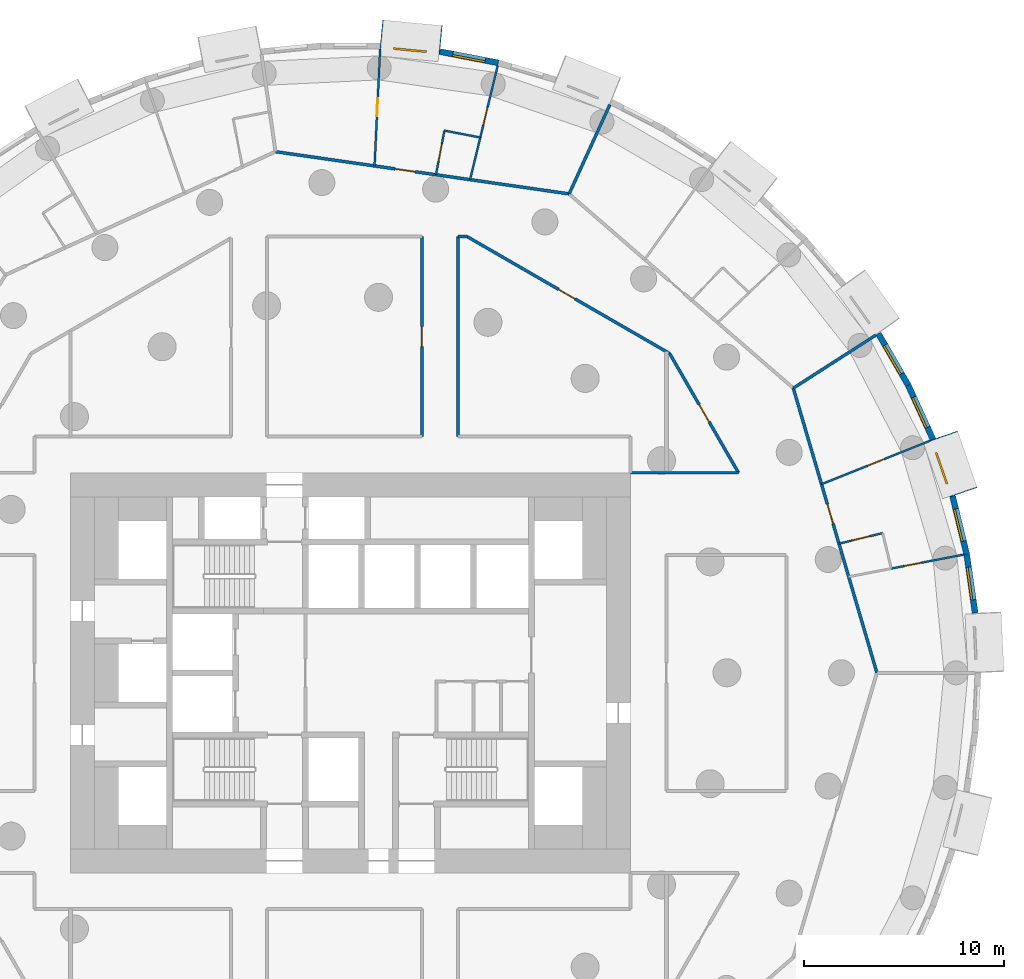
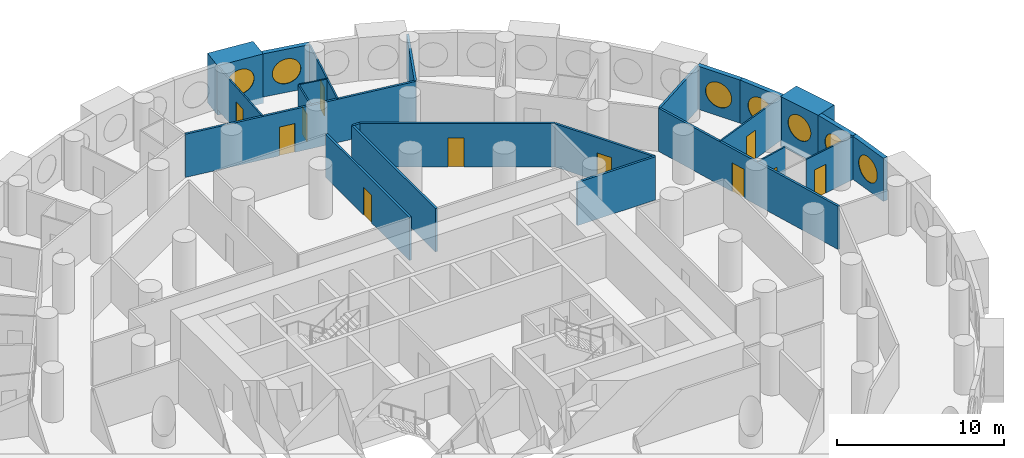
# One storey, part 9 of 12: 25 walls, 11 doors, 7 windows, 18 openings.
"""IFC4 building model written with IfcOpenShell, lengths in metres."""

from ifc_helpers import new_model, si_unit, direction, frame, frame_2d, origin, origin_2d, place, context, subcontext, project, spatial, rectangle, circle, extrude, material, layer, layer_set, type_object, element, fill, save


model = new_model("IFC4")

# Units and contexts
model_context = context("Model", 3, precision=1e-05, world=origin(), true_north=direction((0.0, 1.0)))
body_context = subcontext(model_context, "Body", "Model", "MODEL_VIEW")
ifc_project = project(units=[si_unit("LENGTHUNIT", "METRE"), si_unit("AREAUNIT", "SQUARE_METRE"), si_unit("VOLUMEUNIT", "CUBIC_METRE"), si_unit("PLANEANGLEUNIT", "RADIAN"), si_unit("MASSUNIT", "GRAM", prefix="KILO")], contexts=[model_context])

# Site, building, storey
site_placement = place(None, origin())
site = spatial("IfcSite", under=ifc_project, at=site_placement, CompositionType="ELEMENT")
building_placement = place(site_placement, origin())
building = spatial("IfcBuilding", under=site, at=building_placement, Name="Tracery Tower", CompositionType="ELEMENT")
storey_placement = place(building_placement, frame((0.0, 0.0, 82.199951171875)))
storey = spatial("IfcBuildingStorey", under=building, at=storey_placement, Name="L20", CompositionType="ELEMENT", Elevation=82.199951171875)

# Wall, opening, window
ifc_material_1 = material(Name="Precast concrete C50/60", Category="concrete")
ifc_layer_1 = layer(ifc_material_1, 1.449951171875)
ifc_layer_set_1 = layer_set([ifc_layer_1], Name="Deep-set bay unit 3000 x 3600, slab edge 450")
wall_type_1 = type_object("IfcWallType", Name="Deep-set bay unit 3000 x 3600, slab edge 450", PredefinedType="ELEMENTEDWALL", material=ifc_layer_set_1)
wall_1_placement = place(storey_placement, frame((30.649169921875, 9.0205078125, -0.449951171875), z_axis=(0.0, 0.0, 1.0), x_axis=(-0.327071431777, 0.944999618262, 0.0)))
wall_1 = element("IfcWall", 1, at=wall_1_placement, inside=storey, type_object=wall_type_1, Name="Deep-set bay unit 4 at L20", PredefinedType="ELEMENTEDWALL", context=body_context, shape_type="SweptSolid", body=[
    extrude(rectangle(XDim=3.0, YDim=1.449951171875, at=frame_2d((1.5, 0.0))), origin(), (0.0, 0.0, 1.0), 3.60009765625),
])
opening_1_placement = place(wall_1_placement, frame((1.5, 0.0, 2.0)))
opening_1 = element("IfcOpeningElement", 2, at=opening_1_placement, cuts=wall_1, Name="Opening WN1", PredefinedType="OPENING", context=body_context, shape_type="SweptSolid", body=[
    extrude(circle(Radius=0.9000244140625, at=origin_2d()), frame((0.0, 0.73486328125, 0.0), z_axis=(0.0, -1.0, 0.0), x_axis=(1.0, 0.0, 0.0)), (0.0, 0.0, 1.0), 1.469970703125),
])
ifc_material_2 = material(Name="Aluminium frame with tinted double glazing", Category="aluminium")
window_type = type_object("IfcWindowType", Name="Round window 1800", PartitioningType="SINGLE_PANEL", PredefinedType="WINDOW", material=ifc_material_2)
window_1_placement = place(opening_1_placement, origin())
window_1 = element("IfcWindow", 3, at=window_1_placement, inside=storey, type_object=window_type, Name="Round window 4 at L20", OverallHeight=1.800048828125, OverallWidth=1.800048828125, PartitioningType="SINGLE_PANEL", PredefinedType="WINDOW", context=body_context, shape_type="SweptSolid", body=[
    extrude(circle(Radius=0.9000244140625, at=origin_2d()), frame((0.0, 0.69482421875, 0.0), z_axis=(0.0, -1.0, 0.0), x_axis=(1.0, 0.0, 0.0)), (0.0, 0.0, 1.0), 0.10009765625),
])
fill(opening_1, window_1)

wall_2_placement = place(storey_placement, frame((4.52685546875, 31.626708984375, -0.449951171875), z_axis=(0.0, 0.0, 1.0), x_axis=(-0.995472768558, 0.09504718333, 0.0)))
wall_2 = element("IfcWall", 4, at=wall_2_placement, inside=storey, type_object=wall_type_1, Name="Deep-set bay unit 16 at L20", PredefinedType="ELEMENTEDWALL", context=body_context, shape_type="SweptSolid", body=[
    extrude(rectangle(XDim=3.000244140625, YDim=1.449951171875, at=frame_2d((1.5, 0.0))), origin(), (0.0, 0.0, 1.0), 3.60009765625),
])
opening_2_placement = place(wall_2_placement, frame((1.5, 0.0, 2.0)))
opening_2 = element("IfcOpeningElement", 5, at=opening_2_placement, cuts=wall_2, Name="Opening WN1", PredefinedType="OPENING", context=body_context, shape_type="SweptSolid", body=[
    extrude(circle(Radius=0.9000244140625, at=origin_2d()), frame((0.0, 0.73486328125, 0.0), z_axis=(0.0, -1.0, 0.0), x_axis=(1.0, 0.0, 0.0)), (0.0, 0.0, 1.0), 1.469970703125),
])
window_2_placement = place(opening_2_placement, origin())
window_2 = element("IfcWindow", 6, at=window_2_placement, inside=storey, type_object=window_type, Name="Round window 16 at L20", OverallHeight=1.800048828125, OverallWidth=1.800048828125, PartitioningType="SINGLE_PANEL", PredefinedType="WINDOW", context=body_context, shape_type="SweptSolid", body=[
    extrude(circle(Radius=0.9000244140625, at=origin_2d()), frame((0.0, 0.69482421875, 0.0), z_axis=(0.0, -1.0, 0.0), x_axis=(1.0, 0.0, 0.0)), (0.0, 0.0, 1.0), 0.10009765625),
])
fill(opening_2, window_2)

ifc_material_3 = material(Name="Precast concrete C50/60", Category="concrete")
ifc_layer_2 = layer(ifc_material_3, 0.300048828125)
ifc_layer_set_2 = layer_set([ifc_layer_2], Name="Facade panel 3000 x 3150")
wall_type_2 = type_object("IfcWallType", Name="Facade panel 3000 x 3150", PredefinedType="SOLIDWALL", material=ifc_layer_set_2)
wall_3_placement = place(storey_placement, frame((31.2314453125, 2.98828125, 0.0), z_axis=(0.0, 0.0, 1.0), x_axis=(-0.142315996627, 0.989821275334, 0.0)))
wall_3 = element("IfcWall", 7, at=wall_3_placement, inside=storey, type_object=wall_type_2, Name="Facade panel 2 at L20", PredefinedType="SOLIDWALL", context=body_context, shape_type="SweptSolid", body=[
    extrude(rectangle(XDim=2.979736328125, YDim=0.300048828125, at=frame_2d((1.48974609375, 0.0))), origin(), (0.0, 0.0, 1.0), 3.150146484375),
])
opening_3_placement = place(wall_3_placement, frame((1.48974609375, 0.0, 1.5498046875)))
opening_3 = element("IfcOpeningElement", 8, at=opening_3_placement, cuts=wall_3, Name="Opening WN1", PredefinedType="OPENING", context=body_context, shape_type="SweptSolid", body=[
    extrude(circle(Radius=0.9000244140625, at=origin_2d()), frame((0.0, 0.159912109375, 0.0), z_axis=(0.0, -1.0, 0.0), x_axis=(1.0, 0.0, 0.0)), (0.0, 0.0, 1.0), 0.320068359375),
])
window_3_placement = place(opening_3_placement, origin())
window_3 = element("IfcWindow", 9, at=window_3_placement, inside=storey, type_object=window_type, Name="Round window 2 at L20", OverallHeight=1.800048828125, OverallWidth=1.800048828125, PartitioningType="SINGLE_PANEL", PredefinedType="WINDOW", context=body_context, shape_type="SweptSolid", body=[
    extrude(circle(Radius=0.9000244140625, at=origin_2d()), frame((0.0, 0.1201171875, 0.0), z_axis=(0.0, -1.0, 0.0), x_axis=(1.0, 0.0, 0.0)), (0.0, 0.0, 1.0), 0.10009765625),
])
fill(opening_3, window_3)

wall_4_placement = place(storey_placement, frame((30.807373046875, 5.937744140625, 0.0), z_axis=(0.0, 0.0, 1.0), x_axis=(-0.235743081534, 0.971815414319, 0.0)))
wall_4 = element("IfcWall", 10, at=wall_4_placement, inside=storey, type_object=wall_type_2, Name="Facade panel 3 at L20", PredefinedType="SOLIDWALL", context=body_context, shape_type="SweptSolid", body=[
    extrude(rectangle(XDim=2.9794921875, YDim=0.300048828125, at=frame_2d((1.48974609375, 0.0))), origin(), (0.0, 0.0, 1.0), 3.150146484375),
])
opening_4_placement = place(wall_4_placement, frame((1.48974609375, 0.0, 1.5498046875)))
opening_4 = element("IfcOpeningElement", 11, at=opening_4_placement, cuts=wall_4, Name="Opening WN1", PredefinedType="OPENING", context=body_context, shape_type="SweptSolid", body=[
    extrude(circle(Radius=0.9000244140625, at=origin_2d()), frame((0.0, 0.159912109375, 0.0), z_axis=(0.0, -1.0, 0.0), x_axis=(1.0, 0.0, 0.0)), (0.0, 0.0, 1.0), 0.320068359375),
])
window_4_placement = place(opening_4_placement, origin())
window_4 = element("IfcWindow", 12, at=window_4_placement, inside=storey, type_object=window_type, Name="Round window 3 at L20", OverallHeight=1.800048828125, OverallWidth=1.800048828125, PartitioningType="SINGLE_PANEL", PredefinedType="WINDOW", context=body_context, shape_type="SweptSolid", body=[
    extrude(circle(Radius=0.9000244140625, at=origin_2d()), frame((0.0, 0.1201171875, 0.0), z_axis=(0.0, -1.0, 0.0), x_axis=(1.0, 0.0, 0.0)), (0.0, 0.0, 1.0), 0.10009765625),
])
fill(opening_4, window_4)

wall_5_placement = place(storey_placement, frame((29.12451171875, 11.666259765625, 0.0), z_axis=(0.0, 0.0, 1.0), x_axis=(-0.415407317162, 0.909635509888, 0.0)))
wall_5 = element("IfcWall", 13, at=wall_5_placement, inside=storey, type_object=wall_type_2, Name="Facade panel 5 at L20", PredefinedType="SOLIDWALL", context=body_context, shape_type="SweptSolid", body=[
    extrude(rectangle(XDim=2.979736328125, YDim=0.300048828125, at=frame_2d((1.48974609375, 0.0))), origin(), (0.0, 0.0, 1.0), 3.150146484375),
])
opening_5_placement = place(wall_5_placement, frame((1.48974609375, 0.0, 1.5498046875)))
opening_5 = element("IfcOpeningElement", 14, at=opening_5_placement, cuts=wall_5, Name="Opening WN1", PredefinedType="OPENING", context=body_context, shape_type="SweptSolid", body=[
    extrude(circle(Radius=0.9000244140625, at=origin_2d()), frame((0.0, 0.159912109375, 0.0), z_axis=(0.0, -1.0, 0.0), x_axis=(1.0, 0.0, 0.0)), (0.0, 0.0, 1.0), 0.320068359375),
])
window_5_placement = place(opening_5_placement, origin())
window_5 = element("IfcWindow", 15, at=window_5_placement, inside=storey, type_object=window_type, Name="Round window 5 at L20", OverallHeight=1.800048828125, OverallWidth=1.800048828125, PartitioningType="SINGLE_PANEL", PredefinedType="WINDOW", context=body_context, shape_type="SweptSolid", body=[
    extrude(circle(Radius=0.9000244140625, at=origin_2d()), frame((0.0, 0.1201171875, 0.0), z_axis=(0.0, -1.0, 0.0), x_axis=(1.0, 0.0, 0.0)), (0.0, 0.0, 1.0), 0.10009765625),
])
fill(opening_5, window_5)

wall_6_placement = place(storey_placement, frame((27.88671875, 14.376708984375, 0.0), z_axis=(0.0, 0.0, 1.0), x_axis=(-0.499999078476, 0.866025935826, 0.0)))
wall_6 = element("IfcWall", 16, at=wall_6_placement, inside=storey, type_object=wall_type_2, Name="Facade panel 6 at L20", PredefinedType="SOLIDWALL", context=body_context, shape_type="SweptSolid", body=[
    extrude(rectangle(XDim=2.9794921875, YDim=0.300048828125, at=frame_2d((1.48974609375, 0.0))), origin(), (0.0, 0.0, 1.0), 3.150146484375),
])
opening_6_placement = place(wall_6_placement, frame((1.48974609375, 0.0, 1.5498046875)))
opening_6 = element("IfcOpeningElement", 17, at=opening_6_placement, cuts=wall_6, Name="Opening WN1", PredefinedType="OPENING", context=body_context, shape_type="SweptSolid", body=[
    extrude(circle(Radius=0.9000244140625, at=origin_2d()), frame((0.0, 0.159912109375, 0.0), z_axis=(0.0, -1.0, 0.0), x_axis=(1.0, 0.0, 0.0)), (0.0, 0.0, 1.0), 0.320068359375),
])
window_6_placement = place(opening_6_placement, origin())
window_6 = element("IfcWindow", 18, at=window_6_placement, inside=storey, type_object=window_type, Name="Round window 6 at L20", OverallHeight=1.800048828125, OverallWidth=1.800048828125, PartitioningType="SINGLE_PANEL", PredefinedType="WINDOW", context=body_context, shape_type="SweptSolid", body=[
    extrude(circle(Radius=0.9000244140625, at=origin_2d()), frame((0.0, 0.1201171875, 0.0), z_axis=(0.0, -1.0, 0.0), x_axis=(1.0, 0.0, 0.0)), (0.0, 0.0, 1.0), 0.10009765625),
])
fill(opening_6, window_6)

wall_7_placement = place(storey_placement, frame((7.396728515625, 30.489990234375, 0.0), z_axis=(0.0, 0.0, 1.0), x_axis=(-0.981924535406, 0.189272836848, 0.0)))
wall_7 = element("IfcWall", 19, at=wall_7_placement, inside=storey, type_object=wall_type_2, Name="Facade panel 15 at L20", PredefinedType="SOLIDWALL", context=body_context, shape_type="SweptSolid", body=[
    extrude(rectangle(XDim=2.979736328125, YDim=0.300048828125, at=frame_2d((1.48974609375, 0.0))), origin(), (0.0, 0.0, 1.0), 3.150146484375),
])
opening_7_placement = place(wall_7_placement, frame((1.48974609375, 0.0, 1.5498046875)))
opening_7 = element("IfcOpeningElement", 20, at=opening_7_placement, cuts=wall_7, Name="Opening WN1", PredefinedType="OPENING", context=body_context, shape_type="SweptSolid", body=[
    extrude(circle(Radius=0.9000244140625, at=origin_2d()), frame((0.0, 0.159912109375, 0.0), z_axis=(0.0, -1.0, 0.0), x_axis=(1.0, 0.0, 0.0)), (0.0, 0.0, 1.0), 0.320068359375),
])
window_7_placement = place(opening_7_placement, origin())
window_7 = element("IfcWindow", 21, at=window_7_placement, inside=storey, type_object=window_type, Name="Round window 15 at L20", OverallHeight=1.800048828125, OverallWidth=1.800048828125, PartitioningType="SINGLE_PANEL", PredefinedType="WINDOW", context=body_context, shape_type="SweptSolid", body=[
    extrude(circle(Radius=0.9000244140625, at=origin_2d()), frame((0.0, 0.1201171875, 0.0), z_axis=(0.0, -1.0, 0.0), x_axis=(1.0, 0.0, 0.0)), (0.0, 0.0, 1.0), 0.10009765625),
])
fill(opening_7, window_7)

# Wall, opening, door
ifc_material_4 = material(Name="Plasterboard on steel studs", Category="steel")
ifc_layer_3 = layer(ifc_material_4, 0.10009765625)
ifc_layer_set_3 = layer_set([ifc_layer_3], Name="Partition 100 stud")
wall_type_3 = type_object("IfcWallType", Name="Partition 100 stud", PredefinedType="PARTITIONING", material=ifc_layer_set_3)
wall_8_placement = place(storey_placement, frame((27.0380859375, 5.2109375, 0.0), z_axis=(0.0, 0.0, 1.0), x_axis=(0.981931303506, 0.189237721384, 0.0)))
wall_8 = element("IfcWall", 22, at=wall_8_placement, inside=storey, type_object=wall_type_3, Name="Stud partition RA6-058", PredefinedType="PARTITIONING", context=body_context, shape_type="SweptSolid", body=[
    extrude(rectangle(XDim=3.6884765625, YDim=0.10009765625, at=frame_2d((1.84423828125, 0.0))), origin(), (0.0, 0.0, 1.0), 3.150146484375),
])
opening_8_placement = place(wall_8_placement, frame((0.64453125, 0.0, 0.0)))
opening_8 = element("IfcOpeningElement", 23, at=opening_8_placement, cuts=wall_8, Name="Opening RA6-13", PredefinedType="OPENING", context=body_context, shape_type="SweptSolid", body=[
    extrude(rectangle(XDim=0.89990234375, YDim=2.10009765625, at=frame_2d((0.449951171875, 1.050048828125))), frame((0.0, 0.050048828125, 0.0), z_axis=(0.0, -1.0, 0.0), x_axis=(1.0, 0.0, 0.0)), (0.0, 0.0, 1.0), 0.10009765625),
])
ifc_material_5 = material(Name="Timber door leaf", Category="wood")
door_type_1 = type_object("IfcDoorType", Name="Door bedroom 900", OperationType="NOTDEFINED", PredefinedType="DOOR", material=ifc_material_5)
door_1_placement = place(opening_8_placement, origin())
door_1 = element("IfcDoor", 24, at=door_1_placement, inside=storey, type_object=door_type_1, Name="Bedroom door RA6-13", OperationType="SINGLE_SWING_RIGHT", OverallHeight=2.10009765625, OverallWidth=0.89990234375, PredefinedType="DOOR", context=body_context, shape_type="SweptSolid", body=[
    extrude(rectangle(XDim=0.89990234375, YDim=2.10009765625, at=frame_2d((0.449951171875, 1.050048828125))), frame((0.0, 0.02490234375, 0.0), z_axis=(0.0, -1.0, 0.0), x_axis=(1.0, 0.0, 0.0)), (0.0, 0.0, 1.0), 0.050048828125),
])
fill(opening_8, door_1)

wall_9_placement = place(storey_placement, frame((23.550048828125, 9.427978515625, 0.0), z_axis=(0.0, 0.0, 1.0), x_axis=(0.9283702981, 0.371656547911, 0.0)))
wall_9 = element("IfcWall", 25, at=wall_9_placement, inside=storey, type_object=wall_type_3, Name="Stud partition RA6-059", PredefinedType="PARTITIONING", context=body_context, shape_type="SweptSolid", body=[
    extrude(rectangle(XDim=5.857666015625, YDim=0.10009765625, at=frame_2d((2.9287109375, 0.0))), origin(), (0.0, 0.0, 1.0), 3.150146484375),
])
opening_9_placement = place(wall_9_placement, frame((2.47900390625, 0.0, 0.0)))
opening_9 = element("IfcOpeningElement", 26, at=opening_9_placement, cuts=wall_9, Name="Opening RA6-14", PredefinedType="OPENING", context=body_context, shape_type="SweptSolid", body=[
    extrude(rectangle(XDim=0.89990234375, YDim=2.10009765625, at=frame_2d((0.449951171875, 1.050048828125))), frame((0.0, 0.050048828125, 0.0), z_axis=(0.0, -1.0, 0.0), x_axis=(1.0, 0.0, 0.0)), (0.0, 0.0, 1.0), 0.10009765625),
])
door_2_placement = place(opening_9_placement, origin())
door_2 = element("IfcDoor", 27, at=door_2_placement, inside=storey, type_object=door_type_1, Name="Bedroom door RA6-14", OperationType="SINGLE_SWING_RIGHT", OverallHeight=2.10009765625, OverallWidth=0.89990234375, PredefinedType="DOOR", context=body_context, shape_type="SweptSolid", body=[
    extrude(rectangle(XDim=0.89990234375, YDim=2.10009765625, at=frame_2d((0.449951171875, 1.050048828125))), frame((0.0, 0.02490234375, 0.0), z_axis=(0.0, -1.0, 0.0), x_axis=(1.0, 0.0, 0.0)), (0.0, 0.0, 1.0), 0.050048828125),
])
fill(opening_9, door_2)

wall_10_placement = place(storey_placement, frame((6.491943359375, 26.759033203125, 0.0), z_axis=(0.0, 0.0, 1.0), x_axis=(0.235615179614, 0.971846431868, 0.0)))
wall_10 = element("IfcWall", 28, at=wall_10_placement, inside=storey, type_object=wall_type_3, Name="Stud partition RA6-071", PredefinedType="PARTITIONING", context=body_context, shape_type="SweptSolid", body=[
    extrude(rectangle(XDim=3.688720703125, YDim=0.10009765625, at=frame_2d((1.84423828125, 0.0))), origin(), (0.0, 0.0, 1.0), 3.150146484375),
])
opening_10_placement = place(wall_10_placement, frame((0.644775390625, 0.0, 0.0)))
opening_10 = element("IfcOpeningElement", 29, at=opening_10_placement, cuts=wall_10, Name="Opening RA6-21", PredefinedType="OPENING", context=body_context, shape_type="SweptSolid", body=[
    extrude(rectangle(XDim=0.89990234375, YDim=2.10009765625, at=frame_2d((0.449951171875, 1.050048828125))), frame((0.0, 0.050048828125, 0.0), z_axis=(0.0, -1.0, 0.0), x_axis=(1.0, 0.0, 0.0)), (0.0, 0.0, 1.0), 0.10009765625),
])
door_3_placement = place(opening_10_placement, origin())
door_3 = element("IfcDoor", 30, at=door_3_placement, inside=storey, type_object=door_type_1, Name="Bedroom door RA6-21", OperationType="SINGLE_SWING_RIGHT", OverallHeight=2.10009765625, OverallWidth=0.89990234375, PredefinedType="DOOR", context=body_context, shape_type="SweptSolid", body=[
    extrude(rectangle(XDim=0.89990234375, YDim=2.10009765625, at=frame_2d((0.449951171875, 1.050048828125))), frame((0.0, 0.02490234375, 0.0), z_axis=(0.0, -1.0, 0.0), x_axis=(1.0, 0.0, 0.0)), (0.0, 0.0, 1.0), 0.050048828125),
])
fill(opening_10, door_3)

wall_11_placement = place(storey_placement, frame((1.20703125, 25.339111328125, 0.0), z_axis=(0.0, 0.0, 1.0), x_axis=(0.047648334785, 0.998864173045, 0.0)))
wall_11 = element("IfcWall", 31, at=wall_11_placement, inside=storey, type_object=wall_type_3, Name="Stud partition RA6-072", PredefinedType="PARTITIONING", context=body_context, shape_type="SweptSolid", body=[
    extrude(rectangle(XDim=5.8564453125, YDim=0.10009765625, at=frame_2d((2.92822265625, 0.0))), origin(), (0.0, 0.0, 1.0), 3.150146484375),
])
opening_11_placement = place(wall_11_placement, frame((2.47802734375, 0.0, 0.0)))
opening_11 = element("IfcOpeningElement", 32, at=opening_11_placement, cuts=wall_11, Name="Opening RA6-22", PredefinedType="OPENING", context=body_context, shape_type="SweptSolid", body=[
    extrude(rectangle(XDim=0.89990234375, YDim=2.10009765625, at=frame_2d((0.449951171875, 1.050048828125))), frame((0.0, 0.050048828125, 0.0), z_axis=(0.0, -1.0, 0.0), x_axis=(1.0, 0.0, 0.0)), (0.0, 0.0, 1.0), 0.10009765625),
])
door_4_placement = place(opening_11_placement, origin())
door_4 = element("IfcDoor", 33, at=door_4_placement, inside=storey, type_object=door_type_1, Name="Bedroom door RA6-22", OperationType="SINGLE_SWING_LEFT", OverallHeight=2.10009765625, OverallWidth=0.89990234375, PredefinedType="DOOR", context=body_context, shape_type="SweptSolid", body=[
    extrude(rectangle(XDim=0.89990234375, YDim=2.10009765625, at=frame_2d((0.449951171875, 1.050048828125))), frame((0.0, 0.02490234375, 0.0), z_axis=(0.0, -1.0, 0.0), x_axis=(1.0, 0.0, 0.0)), (0.0, 0.0, 1.0), 0.050048828125),
])
fill(opening_11, door_4)

ifc_material_6 = material(Name="Plasterboard on steel studs", Category="steel")
ifc_layer_4 = layer(ifc_material_6, 0.10009765625)
ifc_layer_set_4 = layer_set([ifc_layer_4], Name="Partition 100 wet wall")
wall_type_4 = type_object("IfcWallType", Name="Partition 100 wet wall", PredefinedType="PARTITIONING", material=ifc_layer_set_4)
wall_12_placement = place(storey_placement, frame((24.424072265625, 6.4541015625, 0.0), z_axis=(0.0, 0.0, 1.0), x_axis=(0.971812402676, 0.235755496233, 0.0)))
wall_12 = element("IfcWall", 34, at=wall_12_placement, inside=storey, type_object=wall_type_4, Name="Wet wall RA6-061", PredefinedType="PARTITIONING", context=body_context, shape_type="SweptSolid", body=[
    extrude(rectangle(XDim=2.2470703125, YDim=0.10009765625, at=frame_2d((1.12353515625, 0.0))), origin(), (0.0, 0.0, 1.0), 3.150146484375),
])
opening_12_placement = place(wall_12_placement, frame((0.67333984375, 0.0, 0.0)))
opening_12 = element("IfcOpeningElement", 35, at=opening_12_placement, cuts=wall_12, Name="Opening RA6-15", PredefinedType="OPENING", context=body_context, shape_type="SweptSolid", body=[
    extrude(rectangle(XDim=0.89990234375, YDim=2.0, at=frame_2d((0.449951171875, 1.0))), frame((0.0, 0.050048828125, 0.0), z_axis=(0.0, -1.0, 0.0), x_axis=(1.0, 0.0, 0.0)), (0.0, 0.0, 1.0), 0.10009765625),
])
ifc_material_7 = material(Name="Timber door leaf", Category="wood")
door_type_2 = type_object("IfcDoorType", Name="Door shower room 900", OperationType="NOTDEFINED", PredefinedType="DOOR", material=ifc_material_7)
door_5_placement = place(opening_12_placement, origin())
door_5 = element("IfcDoor", 36, at=door_5_placement, inside=storey, type_object=door_type_2, Name="Shower room door RA6-15", OperationType="SINGLE_SWING_RIGHT", OverallHeight=2.0, OverallWidth=0.89990234375, PredefinedType="DOOR", context=body_context, shape_type="SweptSolid", body=[
    extrude(rectangle(XDim=0.89990234375, YDim=2.0, at=frame_2d((0.449951171875, 1.0))), frame((0.0, 0.02490234375, 0.0), z_axis=(0.0, -1.0, 0.0), x_axis=(1.0, 0.0, 0.0)), (0.0, 0.0, 1.0), 0.050048828125),
])
fill(opening_12, door_5)

# Wall
wall_13_placement = place(storey_placement, frame((4.699951171875, 27.10498046875, 0.0), z_axis=(0.0, 0.0, 1.0), x_axis=(0.981870706953, -0.189551878985, 0.0)))
element("IfcWall", 37, at=wall_13_placement, inside=storey, type_object=wall_type_4, Name="Wet wall RA6-073", PredefinedType="PARTITIONING", context=body_context, shape_type="SweptSolid", body=[
    extrude(rectangle(XDim=1.8251953125, YDim=0.10009765625, at=frame_2d((0.91259765625, 0.0))), origin(), (0.0, 0.0, 1.0), 3.150146484375),
])

# Wall, opening, door
wall_14_placement = place(storey_placement, frame((4.27490234375, 24.89794921875, 0.0), z_axis=(0.0, 0.0, 1.0), x_axis=(0.189113289302, 0.98195527587, 0.0)))
wall_14 = element("IfcWall", 38, at=wall_14_placement, inside=storey, type_object=wall_type_4, Name="Wet wall RA6-074", PredefinedType="PARTITIONING", context=body_context, shape_type="SweptSolid", body=[
    extrude(rectangle(XDim=2.24755859375, YDim=0.10009765625, at=frame_2d((1.123779296875, 0.0))), origin(), (0.0, 0.0, 1.0), 3.150146484375),
])
opening_13_placement = place(wall_14_placement, frame((0.673583984375, 0.0, 0.0)))
opening_13 = element("IfcOpeningElement", 39, at=opening_13_placement, cuts=wall_14, Name="Opening RA6-23", PredefinedType="OPENING", context=body_context, shape_type="SweptSolid", body=[
    extrude(rectangle(XDim=0.89990234375, YDim=2.0, at=frame_2d((0.449951171875, 1.0))), frame((0.0, 0.050048828125, 0.0), z_axis=(0.0, -1.0, 0.0), x_axis=(1.0, 0.0, 0.0)), (0.0, 0.0, 1.0), 0.10009765625),
])
door_6_placement = place(opening_13_placement, origin())
door_6 = element("IfcDoor", 40, at=door_6_placement, inside=storey, type_object=door_type_2, Name="Shower room door RA6-23", OperationType="SINGLE_SWING_RIGHT", OverallHeight=2.0, OverallWidth=0.89990234375, PredefinedType="DOOR", context=body_context, shape_type="SweptSolid", body=[
    extrude(rectangle(XDim=0.89990234375, YDim=2.0, at=frame_2d((0.449951171875, 1.0))), frame((0.0, 0.02490234375, 0.0), z_axis=(0.0, -1.0, 0.0), x_axis=(1.0, 0.0, 0.0)), (0.0, 0.0, 1.0), 0.050048828125),
])
fill(opening_13, door_6)

# Walls
wall_15_placement = place(storey_placement, frame((5.98095703125, 24.652099609375, 0.0), z_axis=(0.0, 0.0, 1.0), x_axis=(0.235706186713, 0.971824363527, 0.0)))
element("IfcWall", 41, at=wall_15_placement, inside=storey, type_object=wall_type_4, Name="Wet wall RA6-075", PredefinedType="PARTITIONING", context=body_context, shape_type="SweptSolid", body=[
    extrude(rectangle(XDim=2.172119140625, YDim=0.10009765625, at=frame_2d((1.0859375, 0.0))), origin(), (0.0, 0.0, 1.0), 3.150146484375),
])
ifc_material_8 = material(Name="Plasterboard on steel studs", Category="steel")
ifc_layer_5 = layer(ifc_material_8, 0.14990234375)
ifc_layer_set_5 = layer_set([ifc_layer_5], Name="Partition 150 acoustic unit wall")
wall_type_5 = type_object("IfcWallType", Name="Partition 150 acoustic unit wall", PredefinedType="PARTITIONING", material=ifc_layer_set_5)
wall_16_placement = place(storey_placement, frame((22.14111328125, 14.22900390625, 0.0), z_axis=(0.0, 0.0, 1.0), x_axis=(0.841265781699, 0.540621757371, 0.0)))
element("IfcWall", 42, at=wall_16_placement, inside=storey, type_object=wall_type_5, Name="Unit wall RA6-064", PredefinedType="PARTITIONING", context=body_context, shape_type="SweptSolid", body=[
    extrude(rectangle(XDim=4.90576171875, YDim=0.14990234375, at=frame_2d((2.452880859375, 0.0))), origin(), (0.0, 0.0, 1.0), 3.150146484375),
])
wall_17_placement = place(storey_placement, frame((10.93310546875, 23.93994140625, 0.0), z_axis=(0.0, 0.0, 1.0), x_axis=(0.415346954488, 0.909663073559, 0.0)))
element("IfcWall", 43, at=wall_17_placement, inside=storey, type_object=wall_type_5, Name="Unit wall RA6-070", PredefinedType="PARTITIONING", context=body_context, shape_type="SweptSolid", body=[
    extrude(rectangle(XDim=4.90625, YDim=0.14990234375, at=frame_2d((2.453125, 0.0))), origin(), (0.0, 0.0, 1.0), 3.150146484375),
])
ifc_material_9 = material(Name="Plasterboard on steel studs", Category="steel")
ifc_layer_6 = layer(ifc_material_9, 0.14990234375)
ifc_layer_set_6 = layer_set([ifc_layer_6], Name="Partition 150 corridor wall")
wall_type_6 = type_object("IfcWallType", Name="Partition 150 corridor wall", PredefinedType="PARTITIONING", material=ifc_layer_set_6)
wall_18_placement = place(storey_placement, frame((14.0, 10.0, 0.0), z_axis=(0.0, 0.0, 1.0), x_axis=(1.0, 0.0, 0.0)))
element("IfcWall", 44, at=wall_18_placement, inside=storey, type_object=wall_type_6, Name="Corridor wall RA6-011", PredefinedType="PARTITIONING", context=body_context, shape_type="SweptSolid", body=[
    extrude(rectangle(XDim=5.40087890625, YDim=0.14990234375, at=frame_2d((2.700439453125, 0.0))), origin(), (0.0, 0.0, 1.0), 3.150146484375),
])

# Wall, opening, door
wall_19_placement = place(storey_placement, frame((15.9599609375, 15.9599609375, 0.0), z_axis=(0.0, 0.0, 1.0), x_axis=(0.499992689227, -0.86602962462, 0.0)))
wall_19 = element("IfcWall", 45, at=wall_19_placement, inside=storey, type_object=wall_type_6, Name="Corridor wall RA6-018", PredefinedType="PARTITIONING", context=body_context, shape_type="SweptSolid", body=[
    extrude(rectangle(XDim=6.8818359375, YDim=0.14990234375, at=frame_2d((3.44091796875, 0.0))), origin(), (0.0, 0.0, 1.0), 3.150146484375),
])
opening_14_placement = place(wall_19_placement, frame((2.94091796875, 0.0, 0.0)))
opening_14 = element("IfcOpeningElement", 46, at=opening_14_placement, cuts=wall_19, Name="Opening RA6-09", PredefinedType="OPENING", context=body_context, shape_type="SweptSolid", body=[
    extrude(rectangle(XDim=1.0, YDim=2.0400390625, at=frame_2d((0.5, 1.02001953125))), frame((0.0, 0.074951171875, 0.0), z_axis=(0.0, -1.0, 0.0), x_axis=(1.0, 0.0, 0.0)), (0.0, 0.0, 1.0), 0.14990234375),
])
ifc_material_10 = material(Name="Timber door leaf", Category="wood")
door_type_3 = type_object("IfcDoorType", Name="Door communal room 1000", OperationType="NOTDEFINED", PredefinedType="DOOR", material=ifc_material_10)
door_7_placement = place(opening_14_placement, origin())
door_7 = element("IfcDoor", 47, at=door_7_placement, inside=storey, type_object=door_type_3, Name="Communal room door RA6-09", OperationType="SINGLE_SWING_LEFT", OverallHeight=2.0400390625, OverallWidth=1.0, PredefinedType="DOOR", context=body_context, shape_type="SweptSolid", body=[
    extrude(rectangle(XDim=1.0, YDim=2.0400390625, at=frame_2d((0.5, 1.02001953125))), frame((0.0, 0.02490234375, 0.0), z_axis=(0.0, -1.0, 0.0), x_axis=(1.0, 0.0, 0.0)), (0.0, 0.0, 1.0), 0.050048828125),
])
fill(opening_14, door_7)

wall_20_placement = place(storey_placement, frame((22.139892578125, 14.228759765625, 0.0), z_axis=(0.0, 0.0, 1.0), x_axis=(0.281845438276, -0.959459821422, 0.0)))
wall_20 = element("IfcWall", 48, at=wall_20_placement, inside=storey, type_object=wall_type_6, Name="Corridor wall RA6-020", PredefinedType="PARTITIONING", context=body_context, shape_type="SweptSolid", body=[
    extrude(rectangle(XDim=14.829833984375, YDim=0.14990234375, at=frame_2d((7.4150390625, 0.0))), origin(), (0.0, 0.0, 1.0), 3.150146484375),
])
opening_15_placement = place(wall_20_placement, frame((6.053466796875, 0.0, 0.0)))
opening_15 = element("IfcOpeningElement", 49, at=opening_15_placement, cuts=wall_20, Name="Opening RA6-16", PredefinedType="OPENING", context=body_context, shape_type="SweptSolid", body=[
    extrude(rectangle(XDim=1.0, YDim=2.10009765625, at=frame_2d((0.5, 1.050048828125))), frame((0.0, 0.074951171875, 0.0), z_axis=(0.0, -1.0, 0.0), x_axis=(1.0, 0.0, 0.0)), (0.0, 0.0, 1.0), 0.14990234375),
])
ifc_material_11 = material(Name="Timber door leaf", Category="wood")
door_type_4 = type_object("IfcDoorType", Name="Door unit entrance 1000", OperationType="NOTDEFINED", PredefinedType="DOOR", material=ifc_material_11)
door_8_placement = place(opening_15_placement, origin())
door_8 = element("IfcDoor", 50, at=door_8_placement, inside=storey, type_object=door_type_4, Name="Unit entrance door RA6-16", OperationType="SINGLE_SWING_LEFT", OverallHeight=2.10009765625, OverallWidth=1.0, PredefinedType="DOOR", context=body_context, shape_type="SweptSolid", body=[
    extrude(rectangle(XDim=1.0, YDim=2.10009765625, at=frame_2d((0.5, 1.050048828125))), frame((0.0, 0.02490234375, 0.0), z_axis=(0.0, -1.0, 0.0), x_axis=(1.0, 0.0, 0.0)), (0.0, 0.0, 1.0), 0.050048828125),
])
fill(opening_15, door_8)

wall_21_placement = place(storey_placement, frame((3.575927734375, 11.800048828125, 0.0), z_axis=(0.0, 0.0, 1.0), x_axis=(0.0, 1.0, 0.0)))
wall_21 = element("IfcWall", 51, at=wall_21_placement, inside=storey, type_object=wall_type_6, Name="Corridor wall RA6-026", PredefinedType="PARTITIONING", context=body_context, shape_type="SweptSolid", body=[
    extrude(rectangle(XDim=10.001953125, YDim=0.14990234375, at=frame_2d((5.0009765625, 0.0))), origin(), (0.0, 0.0, 1.0), 3.150146484375),
])
opening_16_placement = place(wall_21_placement, frame((4.5009765625, 0.0, 0.0)))
opening_16 = element("IfcOpeningElement", 52, at=opening_16_placement, cuts=wall_21, Name="Opening RA6-02", PredefinedType="OPENING", context=body_context, shape_type="SweptSolid", body=[
    extrude(rectangle(XDim=1.0, YDim=2.0400390625, at=frame_2d((0.5, 1.02001953125))), frame((0.0, 0.074951171875, 0.0), z_axis=(0.0, -1.0, 0.0), x_axis=(1.0, 0.0, 0.0)), (0.0, 0.0, 1.0), 0.14990234375),
])
door_9_placement = place(opening_16_placement, origin())
door_9 = element("IfcDoor", 53, at=door_9_placement, inside=storey, type_object=door_type_3, Name="Communal room door RA6-02", OperationType="SINGLE_SWING_RIGHT", OverallHeight=2.0400390625, OverallWidth=1.0, PredefinedType="DOOR", context=body_context, shape_type="SweptSolid", body=[
    extrude(rectangle(XDim=1.0, YDim=2.0400390625, at=frame_2d((0.5, 1.02001953125))), frame((0.0, 0.02490234375, 0.0), z_axis=(0.0, -1.0, 0.0), x_axis=(1.0, 0.0, 0.0)), (0.0, 0.0, 1.0), 0.050048828125),
])
fill(opening_16, door_9)

wall_22_placement = place(storey_placement, frame((5.842041015625, 21.802001953125, 0.0), z_axis=(0.0, 0.0, 1.0), x_axis=(0.866031778836, -0.499988957924, 0.0)))
wall_22 = element("IfcWall", 54, at=wall_22_placement, inside=storey, type_object=wall_type_6, Name="Corridor wall RA6-029", PredefinedType="PARTITIONING", context=body_context, shape_type="SweptSolid", body=[
    extrude(rectangle(XDim=11.683349609375, YDim=0.14990234375, at=frame_2d((5.841796875, 0.0))), origin(), (0.0, 0.0, 1.0), 3.150146484375),
])
opening_17_placement = place(wall_22_placement, frame((5.2744140625, 0.0, 0.0)))
opening_17 = element("IfcOpeningElement", 55, at=opening_17_placement, cuts=wall_22, Name="Opening RA6-03", PredefinedType="OPENING", context=body_context, shape_type="SweptSolid", body=[
    extrude(rectangle(XDim=0.949951171875, YDim=2.10009765625, at=frame_2d((0.47509765625, 1.050048828125))), frame((0.0, 0.074951171875, 0.0), z_axis=(0.0, -1.0, 0.0), x_axis=(1.0, 0.0, 0.0)), (0.0, 0.0, 1.0), 0.14990234375),
])
ifc_material_12 = material(Name="Timber door leaf", Category="wood")
door_type_5 = type_object("IfcDoorType", Name="Door store 950", OperationType="NOTDEFINED", PredefinedType="DOOR", material=ifc_material_12)
door_10_placement = place(opening_17_placement, origin())
door_10 = element("IfcDoor", 56, at=door_10_placement, inside=storey, type_object=door_type_5, Name="Store door RA6-03", OperationType="SINGLE_SWING_LEFT", OverallHeight=2.10009765625, OverallWidth=0.949951171875, PredefinedType="DOOR", context=body_context, shape_type="SweptSolid", body=[
    extrude(rectangle(XDim=0.949951171875, YDim=2.10009765625, at=frame_2d((0.47509765625, 1.050048828125))), frame((0.0, 0.02490234375, 0.0), z_axis=(0.0, -1.0, 0.0), x_axis=(1.0, 0.0, 0.0)), (0.0, 0.0, 1.0), 0.050048828125),
])
fill(opening_17, door_10)

# Walls
wall_23_placement = place(storey_placement, frame((5.3759765625, 21.802001953125, 0.0), z_axis=(0.0, 0.0, 1.0), x_axis=(1.0, 0.0, 0.0)))
element("IfcWall", 57, at=wall_23_placement, inside=storey, type_object=wall_type_6, Name="Corridor wall RA6-030", PredefinedType="PARTITIONING", context=body_context, shape_type="SweptSolid", body=[
    extrude(rectangle(XDim=0.466064453125, YDim=0.14990234375, at=frame_2d((0.23291015625, 0.0))), origin(), (0.0, 0.0, 1.0), 3.150146484375),
])
wall_24_placement = place(storey_placement, frame((5.3759765625, 11.800048828125, 0.0), z_axis=(0.0, 0.0, 1.0), x_axis=(0.0, 1.0, 0.0)))
element("IfcWall", 58, at=wall_24_placement, inside=storey, type_object=wall_type_6, Name="Corridor wall RA6-031", PredefinedType="PARTITIONING", context=body_context, shape_type="SweptSolid", body=[
    extrude(rectangle(XDim=10.001953125, YDim=0.14990234375, at=frame_2d((5.0009765625, 0.0))), origin(), (0.0, 0.0, 1.0), 3.150146484375),
])

# Wall, opening, door
wall_25_placement = place(storey_placement, frame((-3.74609375, 26.05029296875, 0.0), z_axis=(0.0, 0.0, 1.0), x_axis=(0.989832601965, -0.14223719657, 0.0)))
wall_25 = element("IfcWall", 59, at=wall_25_placement, inside=storey, type_object=wall_type_6, Name="Corridor wall RA6-032", PredefinedType="PARTITIONING", context=body_context, shape_type="SweptSolid", body=[
    extrude(rectangle(XDim=14.830078125, YDim=0.14990234375, at=frame_2d((7.4150390625, 0.0))), origin(), (0.0, 0.0, 1.0), 3.150146484375),
])
opening_18_placement = place(wall_25_placement, frame((6.053955078125, 0.0, 0.0)))
opening_18 = element("IfcOpeningElement", 60, at=opening_18_placement, cuts=wall_25, Name="Opening RA6-24", PredefinedType="OPENING", context=body_context, shape_type="SweptSolid", body=[
    extrude(rectangle(XDim=1.0, YDim=2.10009765625, at=frame_2d((0.5, 1.050048828125))), frame((0.0, 0.074951171875, 0.0), z_axis=(0.0, -1.0, 0.0), x_axis=(1.0, 0.0, 0.0)), (0.0, 0.0, 1.0), 0.14990234375),
])
door_11_placement = place(opening_18_placement, origin())
door_11 = element("IfcDoor", 61, at=door_11_placement, inside=storey, type_object=door_type_4, Name="Unit entrance door RA6-24", OperationType="SINGLE_SWING_RIGHT", OverallHeight=2.10009765625, OverallWidth=1.0, PredefinedType="DOOR", context=body_context, shape_type="SweptSolid", body=[
    extrude(rectangle(XDim=1.0, YDim=2.10009765625, at=frame_2d((0.5, 1.050048828125))), frame((0.0, 0.02490234375, 0.0), z_axis=(0.0, -1.0, 0.0), x_axis=(1.0, 0.0, 0.0)), (0.0, 0.0, 1.0), 0.050048828125),
])
fill(opening_18, door_11)

save(model, "model.ifc")
